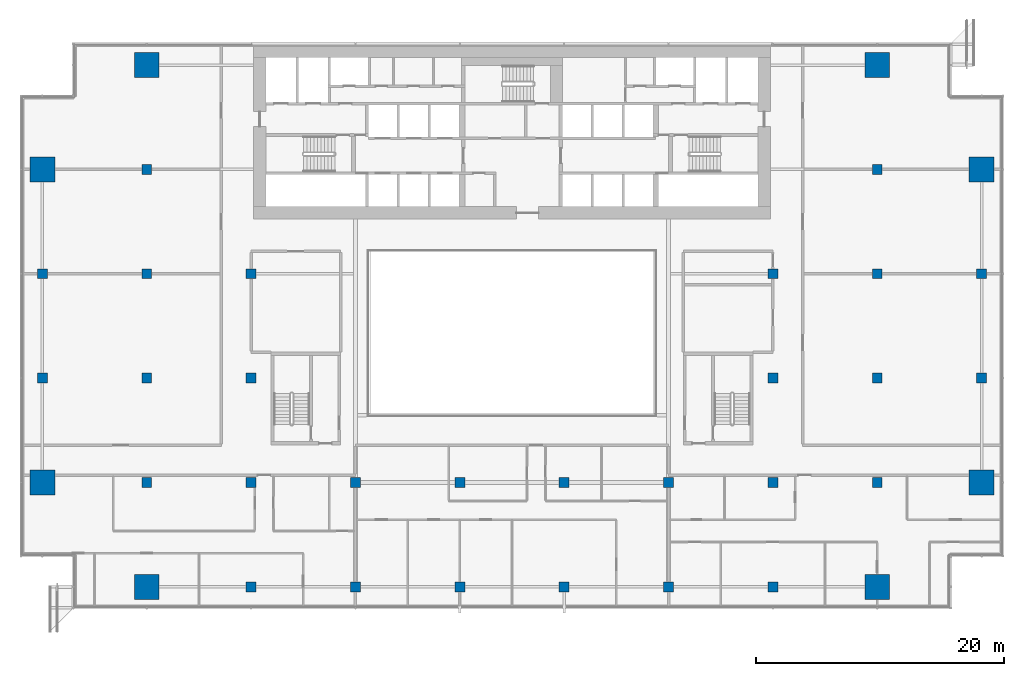
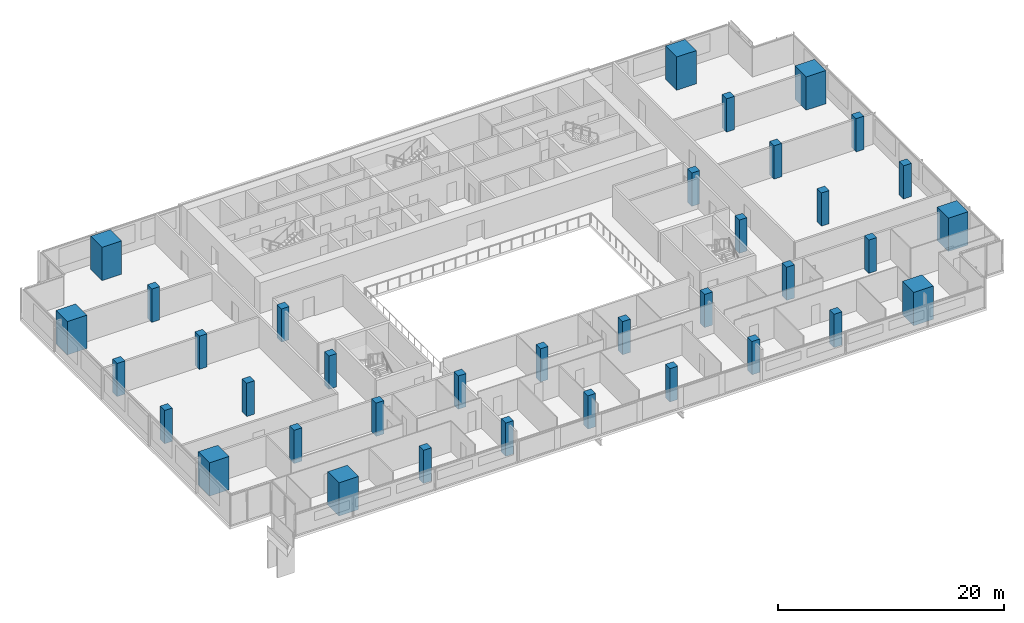
# One storey, part 1 of 26: 36 columns.
"""IFC4 building model written with IfcOpenShell, lengths in metres."""

import ifcopenshell
import ifcopenshell.guid

model = None  # the IFC model being written
_history = None  # IfcOwnerHistory: only IFC2X3 demands one
_inside = {}  # id of a spatial element -> (the spatial element, [elements in it])
_under = {}  # id of a project, library or spatial element -> (it, [spatial elements below it])
_declared = {}  # id of a project -> (the project, [libraries it declares])
_typed = {}  # id of a type object -> (the type object, [elements of that type])
_made_of = {}  # id of a material, layer set ... -> (it, [elements and type objects made of it])


def new_model(schema):
    """Start an empty IFC model of exactly this schema.

    Asked for "IFC4X3", IfcOpenShell would pick the latest addendum, in which some entities
    have other attributes; the version numbers below select the first issue.
    IFC2X3 requires an IfcOwnerHistory on every rooted entity: one is made here for all.
    """
    global model, _history
    if schema == "IFC4X3":
        model = ifcopenshell.file(schema_version=(4, 3, 0, 0))
    else:
        model = ifcopenshell.file(schema=schema)
    _inside.clear()
    _under.clear()
    _declared.clear()
    _typed.clear()
    _made_of.clear()
    _history = None
    if model.schema == "IFC2X3":
        org = make("IfcOrganization", Name="unknown")
        user = make(
            "IfcPersonAndOrganization",
            ThePerson=make("IfcPerson", FamilyName="unknown"),
            TheOrganization=org,
        )
        app = make(
            "IfcApplication",
            ApplicationDeveloper=org,
            Version="unknown",
            ApplicationFullName="unknown",
            ApplicationIdentifier="unknown",
        )
        _history = make(
            "IfcOwnerHistory",
            OwningUser=user,
            OwningApplication=app,
            ChangeAction="ADDED",
            CreationDate=0,
        )
    return model


def make(cls, **values):
    """One entity of the class cls with the attributes given. An attribute that is None is left unset."""
    return model.create_entity(
        cls, **{name: value for name, value in values.items() if value is not None}
    )


def rooted(cls, **values):
    """An entity with a GlobalId (a new one), such as an element, a storey or a relation."""
    return make(cls, GlobalId=ifcopenshell.guid.new(), OwnerHistory=_history, **values)


def si_unit(unit_type, name, prefix=None):
    """IfcSIUnit, for example si_unit("LENGTHUNIT", "METRE", prefix="MILLI")."""
    return make("IfcSIUnit", UnitType=unit_type, Prefix=prefix, Name=name)


def assignment(units):
    """IfcUnitAssignment: the units of a project."""
    return None if units is None else make("IfcUnitAssignment", Units=units)


def point(xyz):
    """IfcCartesianPoint."""
    return None if xyz is None else make("IfcCartesianPoint", Coordinates=xyz)


def direction(xyz):
    """IfcDirection."""
    return None if xyz is None else make("IfcDirection", DirectionRatios=xyz)


def frame(location, z_axis=None, x_axis=None):
    """IfcAxis2Placement3D, a coordinate frame: its origin and axes. An axis left out is left unset."""
    return make(
        "IfcAxis2Placement3D",
        Location=point(location),
        Axis=direction(z_axis),
        RefDirection=direction(x_axis),
    )


def frame_2d(location, x_axis=None):
    """IfcAxis2Placement2D, a coordinate frame in the plane: its origin and x axis."""
    return make(
        "IfcAxis2Placement2D", Location=point(location), RefDirection=direction(x_axis)
    )


def origin():
    """The frame at (0, 0, 0) with its axes left unset."""
    return frame((0.0, 0.0, 0.0))


def origin_2d():
    """The frame at (0, 0) in the plane with its x axis left unset."""
    return frame_2d((0.0, 0.0))


def place(relative_to, where):
    """IfcLocalPlacement: puts the frame where relative to a parent placement (None: the world)."""
    return make(
        "IfcLocalPlacement", PlacementRelTo=relative_to, RelativePlacement=where
    )


def context(
    kind, dimensions, precision=None, world=None, true_north=None, identifier=None
):
    """IfcGeometricRepresentationContext, for example the 3D "Model" context."""
    return make(
        "IfcGeometricRepresentationContext",
        ContextIdentifier=identifier,
        ContextType=kind,
        CoordinateSpaceDimension=dimensions,
        Precision=precision,
        WorldCoordinateSystem=world,
        TrueNorth=true_north,
    )


def subcontext(parent, identifier, kind, view, scale=None):
    """IfcGeometricRepresentationSubContext, for example "Body" below "Model"."""
    return make(
        "IfcGeometricRepresentationSubContext",
        ContextIdentifier=identifier,
        ContextType=kind,
        ParentContext=parent,
        TargetScale=scale,
        TargetView=view,
    )


def project(units=None, contexts=None):
    """IfcProject with its units and contexts."""
    return rooted(
        "IfcProject",
        Name="project",
        RepresentationContexts=contexts,
        UnitsInContext=assignment(units),
    )


def spatial(cls, under=None, at=None, **own):
    """A site, building, storey or space (cls), placed at a placement, below another one or the project."""
    s = rooted(cls, ObjectPlacement=at, **own)
    if under is not None:
        _under.setdefault(under.id(), (under, []))[1].append(s)
    return s


def profile(cls, at=None, kind="AREA", **sizes):
    """A parametric profile (cls). Its sizes go by their IFC names, for example OverallWidth=200.0."""
    return make(cls, ProfileType=kind, Position=at, **sizes)


def rectangle(**sizes):
    """IfcRectangleProfileDef."""
    return profile("IfcRectangleProfileDef", **sizes)


def extrude(swept, where, along, depth):
    """IfcExtrudedAreaSolid: the profile swept, set in the frame where, extruded along a direction by depth."""
    return make(
        "IfcExtrudedAreaSolid",
        SweptArea=swept,
        Position=where,
        ExtrudedDirection=direction(along),
        Depth=depth,
    )


def shape(context_of_items, identifier, shape_type, items):
    """IfcShapeRepresentation: the items that make up one representation, for example the "Body"."""
    return make(
        "IfcShapeRepresentation",
        ContextOfItems=context_of_items,
        RepresentationIdentifier=identifier,
        RepresentationType=shape_type,
        Items=items,
    )


def material(Name=None, Category=None):
    """IfcMaterial."""
    return make("IfcMaterial", Name=Name, Category=Category)


def material_profile(
    of_material, cross_section, Name=None, Category=None, Priority=None
):
    """IfcMaterialProfile: a cross section and its material."""
    return make(
        "IfcMaterialProfile",
        Name=Name,
        Material=of_material,
        Profile=cross_section,
        Priority=Priority,
        Category=Category,
    )


def profile_set(profiles, Name=None, composite=None):
    """IfcMaterialProfileSet."""
    return make(
        "IfcMaterialProfileSet",
        Name=Name,
        MaterialProfiles=profiles,
        CompositeProfile=composite,
    )


def made_of(thing, what):
    """Note that an element or type object is made of a material, layer set ...; save() writes the relation."""
    if what is not None:
        _made_of.setdefault(what.id(), (what, []))[1].append(thing)
    return thing


def type_object(cls, material=None, **own):
    """A type object (cls), such as IfcWallType, which elements share."""
    return made_of(rooted(cls, **own), material)


def element(
    cls,
    number,
    at=None,
    inside=None,
    cuts=None,
    type_object=None,
    material=None,
    context=None,
    identifier="Body",
    shape_type=None,
    held_by="IfcProductDefinitionShape",
    body=None,
    shapes=None,
    **own,
):
    """One element of the class cls, such as IfcWall. Its Tag is "e" and its number.

    at: its placement. inside: the storey or other place that contains it. cuts: it is an
    opening in that element (IfcRelVoidsElement). A single representation is given by context,
    identifier, shape_type and body (its items); several are given by shapes. held_by: the class
    of the entity that holds the representations. save() writes the other relations.
    """
    e = rooted(cls, Tag="e%d" % number, ObjectPlacement=at, **own)
    if body is not None:
        shapes = [shape(context, identifier, shape_type, body)]
    if shapes is not None:
        e.Representation = make(held_by, Representations=shapes)
    if inside is not None:
        _inside.setdefault(inside.id(), (inside, []))[1].append(e)
    if cuts is not None:
        rooted(
            "IfcRelVoidsElement", RelatingBuildingElement=cuts, RelatedOpeningElement=e
        )
    if type_object is not None:
        _typed.setdefault(type_object.id(), (type_object, []))[1].append(e)
    return made_of(e, material)


def aggregate(whole, parts):
    """IfcRelAggregates: a whole, such as a stair, and the parts it consists of."""
    return rooted("IfcRelAggregates", RelatingObject=whole, RelatedObjects=parts)


def save(model, path):
    """Write the relations noted so far, then the file.

    IfcRelAggregates (storeys below a building ...), IfcRelContainedInSpatialStructure (elements
    in a storey), IfcRelDefinesByType, IfcRelAssociatesMaterial and IfcRelDeclares: one each for
    every whole, place, type object, material and project.
    """
    for whole, parts in _under.values():
        aggregate(whole, parts)
    for where, things in _inside.values():
        rooted(
            "IfcRelContainedInSpatialStructure",
            RelatedElements=things,
            RelatingStructure=where,
        )
    for kind, things in _typed.values():
        rooted("IfcRelDefinesByType", RelatedObjects=things, RelatingType=kind)
    for what, things in _made_of.values():
        rooted("IfcRelAssociatesMaterial", RelatedObjects=things, RelatingMaterial=what)
    for by, libraries in _declared.values():
        rooted("IfcRelDeclares", RelatingContext=by, RelatedDefinitions=libraries)
    model.write(path)


model = new_model("IFC4")

# Units and contexts
model_context = context("Model", 3, precision=1e-05, world=origin(), true_north=direction((0.0, 1.0)))
body_context = subcontext(model_context, "Body", "Model", "MODEL_VIEW")
ifc_project = project(units=[si_unit("LENGTHUNIT", "METRE"), si_unit("AREAUNIT", "SQUARE_METRE"), si_unit("VOLUMEUNIT", "CUBIC_METRE"), si_unit("PLANEANGLEUNIT", "RADIAN"), si_unit("MASSUNIT", "GRAM", prefix="KILO")], contexts=[model_context])

# Site, building, storey
site_placement = place(None, origin())
site = spatial("IfcSite", under=ifc_project, at=site_placement, CompositionType="ELEMENT")
building_placement = place(site_placement, origin())
building = spatial("IfcBuilding", under=site, at=building_placement, Name="Saffron Gate Tower", CompositionType="ELEMENT")
storey_placement = place(building_placement, frame((0.0, 0.0, 138.449951171875)))
storey = spatial("IfcBuildingStorey", under=building, at=storey_placement, Name="L33", CompositionType="ELEMENT", Elevation=138.449951171875)

# Columns
ifc_material_1 = material(Name="Concrete C60", Category="concrete")
ifc_material_profile_1 = material_profile(ifc_material_1, rectangle(XDim=0.800048828125, YDim=0.800048828125, at=origin_2d()))
ifc_profile_set_1 = profile_set([ifc_material_profile_1], Name="Concrete C60")
column_type_1 = type_object("IfcColumnType", Name="C5 RC 800x800 CONCRETE C60", PredefinedType="COLUMN", material=ifc_profile_set_1)
for number, where, z_axis, x_axis, name in (
    (1, (49.800048828125, 48.60009765625, 0.0), (0.0, 0.0, 1.0), (1.0, 0.0, 0.0), "C5 COLUMN X1-C"),
    (2, (49.800048828125, 57.0, 0.0), (0.0, 0.0, 1.0), (1.0, 0.0, 0.0), "C5 COLUMN X1-D"),
    (3, (58.199951171875, 40.199951171875, 0.0), (0.0, 0.0, 1.0), (1.0, 0.0, 0.0), "C5 COLUMN X2-B"),
    (4, (58.199951171875, 48.60009765625, 0.0), (0.0, 0.0, 1.0), (1.0, 0.0, 0.0), "C5 COLUMN X2-C"),
    (5, (58.199951171875, 57.0, 0.0), (0.0, 0.0, 1.0), (1.0, 0.0, 0.0), "C5 COLUMN X2-D"),
    (6, (58.199951171875, 65.39990234375, 0.0), (0.0, 0.0, 1.0), (1.0, 0.0, 0.0), "C5 COLUMN X2-E"),
    (7, (66.60009765625, 31.800048828125, 0.0), (0.0, 0.0, 1.0), (1.0, 0.0, 0.0), "C5 COLUMN X3-A"),
    (8, (66.60009765625, 40.199951171875, 0.0), (0.0, 0.0, 1.0), (1.0, 0.0, 0.0), "C5 COLUMN X3-B"),
    (9, (66.60009765625, 48.60009765625, 0.0), (0.0, 0.0, 1.0), (1.0, 0.0, 0.0), "C5 COLUMN X3-C"),
    (10, (66.60009765625, 57.0, 0.0), (0.0, 0.0, 1.0), (1.0, 0.0, 0.0), "C5 COLUMN X3-D"),
    (11, (75.0, 31.800048828125, 0.0), (0.0, 0.0, 1.0), (1.0, 0.0, 0.0), "C5 COLUMN X4-A"),
    (12, (75.0, 40.199951171875, 0.0), (0.0, 0.0, 1.0), (1.0, 0.0, 0.0), "C5 COLUMN X4-B"),
    (13, (83.39990234375, 31.800048828125, 0.0), (0.0, 0.0, 1.0), (1.0, 0.0, 0.0), "C5 COLUMN X5-A"),
    (14, (83.39990234375, 40.199951171875, 0.0), (0.0, 0.0, 1.0), (1.0, 0.0, 0.0), "C5 COLUMN X5-B"),
    (15, (91.800048828125, 31.800048828125, 0.0), (0.0, 0.0, 1.0), (1.0, 0.0, 0.0), "C5 COLUMN X6-A"),
    (16, (91.800048828125, 40.199951171875, 0.0), (0.0, 0.0, 1.0), (1.0, 0.0, 0.0), "C5 COLUMN X6-B"),
    (17, (100.199951171875, 31.800048828125, 0.0), (0.0, 0.0, 1.0), (1.0, 0.0, 0.0), "C5 COLUMN X7-A"),
    (18, (100.199951171875, 40.199951171875, 0.0), (0.0, 0.0, 1.0), (1.0, 0.0, 0.0), "C5 COLUMN X7-B"),
    (19, (108.60009765625, 31.800048828125, 0.0), (0.0, 0.0, 1.0), (1.0, 0.0, 0.0), "C5 COLUMN X8-A"),
    (20, (108.60009765625, 40.199951171875, 0.0), (0.0, 0.0, 1.0), (1.0, 0.0, 0.0), "C5 COLUMN X8-B"),
    (21, (108.60009765625, 48.60009765625, 0.0), (0.0, 0.0, 1.0), (1.0, 0.0, 0.0), "C5 COLUMN X8-C"),
    (22, (108.60009765625, 57.0, 0.0), (0.0, 0.0, 1.0), (1.0, 0.0, 0.0), "C5 COLUMN X8-D"),
    (23, (117.0, 40.199951171875, 0.0), (0.0, 0.0, 1.0), (1.0, 0.0, 0.0), "C5 COLUMN X9-B"),
    (24, (117.0, 48.60009765625, 0.0), (0.0, 0.0, 1.0), (1.0, 0.0, 0.0), "C5 COLUMN X9-C"),
    (25, (117.0, 57.0, 0.0), (0.0, 0.0, 1.0), (1.0, 0.0, 0.0), "C5 COLUMN X9-D"),
    (26, (117.0, 65.39990234375, 0.0), (0.0, 0.0, 1.0), (1.0, 0.0, 0.0), "C5 COLUMN X9-E"),
    (27, (125.39990234375, 48.60009765625, 0.0), (0.0, 0.0, 1.0), (1.0, 0.0, 0.0), "C5 COLUMN X10-C"),
    (28, (125.39990234375, 57.0, 0.0), (0.0, 0.0, 1.0), (1.0, 0.0, 0.0), "C5 COLUMN X10-D"),
):
    element("IfcColumn", number, at=place(storey_placement, frame(where, z_axis=z_axis, x_axis=x_axis)), inside=storey, type_object=column_type_1, Name=name, PredefinedType="COLUMN", context=body_context, shape_type="SweptSolid", body=[
        extrude(rectangle(XDim=0.800048828125, YDim=0.800048828125, at=origin_2d()), origin(), (0.0, 0.0, 1.0), 3.60009765625),
    ])
ifc_material_2 = material(Name="Concrete C80", Category="concrete")
ifc_material_profile_2 = material_profile(ifc_material_2, rectangle(XDim=2.0, YDim=2.0, at=origin_2d()))
ifc_profile_set_2 = profile_set([ifc_material_profile_2], Name="Concrete C80")
column_type_2 = type_object("IfcColumnType", Name="MC3 RC 2000x2000 CONCRETE C80", PredefinedType="COLUMN", material=ifc_profile_set_2)
for number, where, z_axis, x_axis, name in (
    (29, (49.800048828125, 40.199951171875, 0.0), (0.0, 0.0, 1.0), (1.0, 0.0, 0.0), "MC3 MEGA COLUMN X1-B"),
    (30, (49.800048828125, 65.39990234375, 0.0), (0.0, 0.0, 1.0), (1.0, 0.0, 0.0), "MC3 MEGA COLUMN X1-E"),
    (31, (58.199951171875, 31.800048828125, 0.0), (0.0, 0.0, 1.0), (1.0, 0.0, 0.0), "MC3 MEGA COLUMN X2-A"),
    (32, (58.199951171875, 73.800048828125, 0.0), (0.0, 0.0, 1.0), (1.0, 0.0, 0.0), "MC3 MEGA COLUMN X2-F"),
    (33, (117.0, 31.800048828125, 0.0), (0.0, 0.0, 1.0), (1.0, 0.0, 0.0), "MC3 MEGA COLUMN X9-A"),
    (34, (117.0, 73.800048828125, 0.0), (0.0, 0.0, 1.0), (1.0, 0.0, 0.0), "MC3 MEGA COLUMN X9-F"),
    (35, (125.39990234375, 40.199951171875, 0.0), (0.0, 0.0, 1.0), (1.0, 0.0, 0.0), "MC3 MEGA COLUMN X10-B"),
    (36, (125.39990234375, 65.39990234375, 0.0), (0.0, 0.0, 1.0), (1.0, 0.0, 0.0), "MC3 MEGA COLUMN X10-E"),
):
    element("IfcColumn", number, at=place(storey_placement, frame(where, z_axis=z_axis, x_axis=x_axis)), inside=storey, type_object=column_type_2, Name=name, PredefinedType="COLUMN", context=body_context, shape_type="SweptSolid", body=[
        extrude(rectangle(XDim=2.0, YDim=2.0, at=origin_2d()), origin(), (0.0, 0.0, 1.0), 3.60009765625),
    ])

save(model, "model.ifc")
